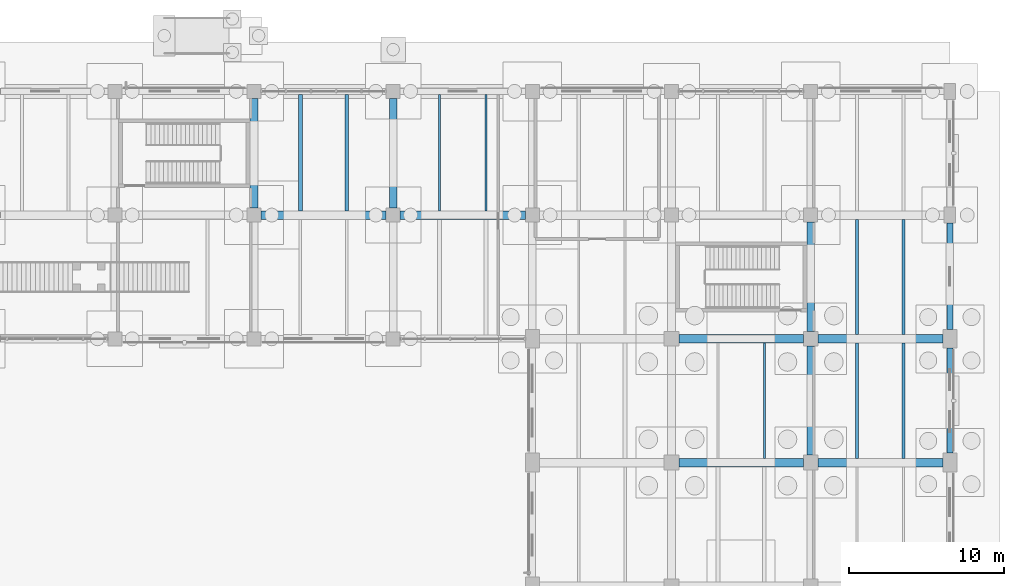
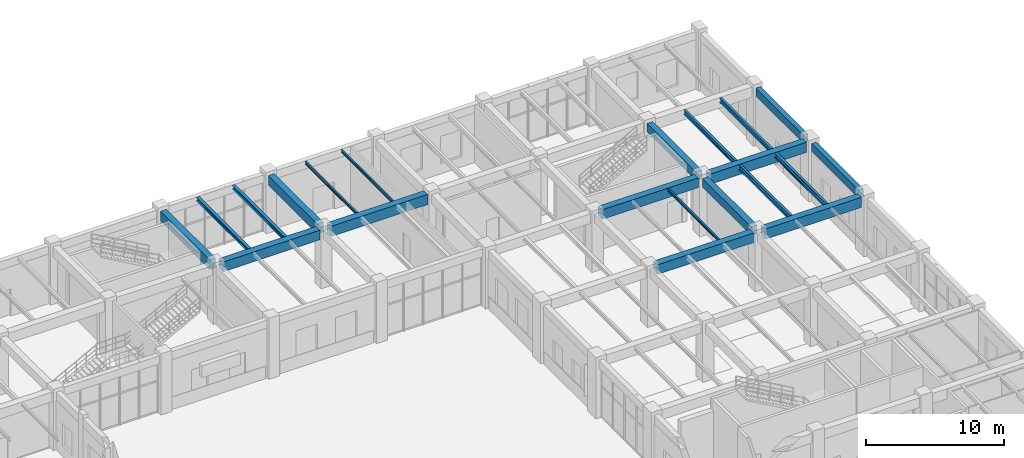
# One storey, part 77 of 121: 21 beams.
"""IFC4 building model written with IfcOpenShell, lengths in metres."""

from ifc_helpers import new_model, si_unit, derived_unit, direction, frame, origin, origin_2d, place, context, subcontext, project, spatial, rectangle, i_section, extrude, material, material_profile, profile_set, type_object, element, save


model = new_model("IFC4")

# Units and contexts
model_context = context("Model", 3, precision=1e-05, world=origin(), true_north=direction((0.0, 1.0)))
body_context = subcontext(model_context, "Body", "Model", "MODEL_VIEW")
ifc_project = project(units=[si_unit("LENGTHUNIT", "METRE"), si_unit("AREAUNIT", "SQUARE_METRE"), si_unit("VOLUMEUNIT", "CUBIC_METRE"), si_unit("PLANEANGLEUNIT", "RADIAN"), si_unit("MASSUNIT", "GRAM", prefix="KILO"), derived_unit("THERMALTRANSMITTANCEUNIT", [(si_unit("MASSUNIT", "GRAM", prefix="KILO"), 1), (si_unit("TIMEUNIT", "SECOND"), -3), (si_unit("THERMODYNAMICTEMPERATUREUNIT", "KELVIN"), -1)])], contexts=[model_context])

# Site, building, storey
site_placement = place(None, origin())
site = spatial("IfcSite", under=ifc_project, at=site_placement, CompositionType="ELEMENT")
building_placement = place(site_placement, origin())
building = spatial("IfcBuilding", under=site, at=building_placement, Name="Zhenchuan Archway Interchange", CompositionType="ELEMENT")
storey_placement = place(building_placement, origin())
storey = spatial("IfcBuildingStorey", under=building, at=storey_placement, Name="L00", CompositionType="ELEMENT", Elevation=0.0)

# Beams
ifc_material_1 = material(Name="Concrete C40", Category="concrete")
ifc_material_profile_1 = material_profile(ifc_material_1, rectangle(XDim=0.5, YDim=0.75, at=origin_2d()), Name="RC 500x750")
ifc_profile_set_1 = profile_set([ifc_material_profile_1], Name="Concrete C40")
beam_type_1 = type_object("IfcBeamType", Name="BM_RC_500x750", PredefinedType="BEAM", material=ifc_profile_set_1)
beam_1_placement = place(storey_placement, frame((162.0, 80.47509765625, 4.705078125), z_axis=(0.0, 1.0, 0.0), x_axis=(-1.0, 0.0, 0.0)))
element("IfcBeam", 1, at=beam_1_placement, inside=storey, type_object=beam_type_1, Name="Beam 19:L-M (L00)", PredefinedType="BEAM", context=body_context, shape_type="SweptSolid", body=[
    extrude(rectangle(XDim=0.5, YDim=0.75, at=origin_2d()), origin(), (0.0, 0.0, 1.0), 7.0498046875),
])
beam_2_placement = place(storey_placement, frame((162.0, 88.47509765625, 4.705078125), z_axis=(0.0, 1.0, 0.0), x_axis=(-1.0, 0.0, 0.0)))
element("IfcBeam", 2, at=beam_2_placement, inside=storey, type_object=beam_type_1, Name="Beam 19:M-N (L00)", PredefinedType="BEAM", context=body_context, shape_type="SweptSolid", body=[
    extrude(rectangle(XDim=0.5, YDim=0.75, at=origin_2d()), origin(), (0.0, 0.0, 1.0), 7.074951171875),
])
ifc_material_profile_2 = material_profile(ifc_material_1, rectangle(XDim=0.5, YDim=0.85009765625, at=origin_2d()), Name="RC 500x850")
ifc_profile_set_2 = profile_set([ifc_material_profile_2], Name="Concrete C40")
beam_type_2 = type_object("IfcBeamType", Name="BM_RC_500x850", PredefinedType="BEAM", material=ifc_profile_set_2)
for number, where, z_axis, x_axis, name in (
    (3, (126.0, 96.449951171875, 4.655029296875), (0.0, 1.0, 0.0), (-1.0, 0.0, 0.0), "Beam 15:N-O (L00)"),
    (4, (135.0, 96.449951171875, 4.655029296875), (0.0, 1.0, 0.0), (-1.0, 0.0, 0.0), "Beam 16:N-O (L00)"),
):
    element("IfcBeam", number, at=place(storey_placement, frame(where, z_axis=z_axis, x_axis=x_axis)), inside=storey, type_object=beam_type_2, Name=name, PredefinedType="BEAM", context=body_context, shape_type="SweptSolid", body=[
        extrude(rectangle(XDim=0.5, YDim=0.85009765625, at=origin_2d()), origin(), (0.0, 0.0, 1.0), 7.10009765625),
    ])
ifc_material_profile_3 = material_profile(ifc_material_1, rectangle(XDim=0.550048828125, YDim=0.85009765625, at=origin_2d()), Name="RC 550x850")
ifc_profile_set_3 = profile_set([ifc_material_profile_3], Name="Concrete C40")
beam_type_3 = type_object("IfcBeamType", Name="BM_RC_550x850", PredefinedType="BEAM", material=ifc_profile_set_3)
for number, where, z_axis, x_axis, name in (
    (5, (153.47509765625, 80.0, 4.655029296875), (1.0, 0.0, 0.0), (0.0, 1.0, 0.0), "Beam L:18-19 (L00)"),
    (6, (153.47509765625, 88.0, 4.655029296875), (1.0, 0.0, 0.0), (0.0, 1.0, 0.0), "Beam M:18-19 (L00)"),
):
    element("IfcBeam", number, at=place(storey_placement, frame(where, z_axis=z_axis, x_axis=x_axis)), inside=storey, type_object=beam_type_3, Name=name, PredefinedType="BEAM", context=body_context, shape_type="SweptSolid", body=[
        extrude(rectangle(XDim=0.550048828125, YDim=0.85009765625, at=origin_2d()), origin(), (0.0, 0.0, 1.0), 8.0498046875),
    ])
beam_3_placement = place(storey_placement, frame((126.449951171875, 96.0, 4.655029296875), z_axis=(1.0, 0.0, 0.0), x_axis=(0.0, 1.0, 0.0)))
element("IfcBeam", 7, at=beam_3_placement, inside=storey, type_object=beam_type_3, Name="Beam N:15-16 (L00)", PredefinedType="BEAM", context=body_context, shape_type="SweptSolid", body=[
    extrude(rectangle(XDim=0.550048828125, YDim=0.85009765625, at=origin_2d()), origin(), (0.0, 0.0, 1.0), 8.10009765625),
])
ifc_material_profile_4 = material_profile(ifc_material_1, rectangle(XDim=0.550048828125, YDim=0.89990234375, at=origin_2d()), Name="RC 550x900")
ifc_profile_set_4 = profile_set([ifc_material_profile_4], Name="Concrete C40")
beam_type_4 = type_object("IfcBeamType", Name="BM_RC_550x900", PredefinedType="BEAM", material=ifc_profile_set_4)
for number, where, z_axis, x_axis, name in (
    (8, (162.47509765625, 80.0, 4.6298828125), (1.0, 0.0, 0.0), (0.0, 1.0, 0.0), "Beam L:19-20 (L00)"),
    (9, (162.47509765625, 88.0, 4.6298828125), (1.0, 0.0, 0.0), (0.0, 1.0, 0.0), "Beam M:19-20 (L00)"),
):
    element("IfcBeam", number, at=place(storey_placement, frame(where, z_axis=z_axis, x_axis=x_axis)), inside=storey, type_object=beam_type_4, Name=name, PredefinedType="BEAM", context=body_context, shape_type="SweptSolid", body=[
        extrude(rectangle(XDim=0.550048828125, YDim=0.89990234375, at=origin_2d()), origin(), (0.0, 0.0, 1.0), 8.074951171875),
    ])
beam_4_placement = place(storey_placement, frame((135.449951171875, 96.0, 4.6298828125), z_axis=(1.0, 0.0, 0.0), x_axis=(0.0, 1.0, 0.0)))
element("IfcBeam", 10, at=beam_4_placement, inside=storey, type_object=beam_type_4, Name="Beam N:16-17 (L00)", PredefinedType="BEAM", context=body_context, shape_type="SweptSolid", body=[
    extrude(rectangle(XDim=0.550048828125, YDim=0.89990234375, at=origin_2d()), origin(), (0.0, 0.0, 1.0), 8.10009765625),
])
ifc_material_2 = material(Name="Steel Q355", Category="steel")
ifc_material_profile_5 = material_profile(ifc_material_2, i_section(OverallWidth=0.25, OverallDepth=0.340087890625, WebThickness=0.009033203125, FlangeThickness=0.013916015625, FilletRadius=0.01806640625, at=origin_2d()), Name="HM 340x250")
ifc_profile_set_5 = profile_set([ifc_material_profile_5], Name="Steel Q355")
beam_type_5 = type_object("IfcBeamType", Name="JST_STL_HM340", PredefinedType="JOIST", material=ifc_profile_set_5)
for number, where, z_axis, x_axis, name in (
    (11, (129.0, 96.27490234375, 4.909912109375), (0.0, 1.0, 0.0), (-1.0, 0.0, 0.0), "Secondary joist 15-16/N-O #1 (L00)"),
    (12, (132.0, 96.27490234375, 4.909912109375), (0.0, 1.0, 0.0), (-1.0, 0.0, 0.0), "Secondary joist 15-16/N-O #2 (L00)"),
):
    element("IfcBeam", number, at=place(storey_placement, frame(where, z_axis=z_axis, x_axis=x_axis)), inside=storey, type_object=beam_type_5, Name=name, PredefinedType="JOIST", context=body_context, shape_type="SweptSolid", body=[
        extrude(i_section(OverallWidth=0.25, OverallDepth=0.340087890625, WebThickness=0.009033203125, FlangeThickness=0.013916015625, FilletRadius=0.01806640625, at=origin_2d()), origin(), (0.0, 0.0, 1.0), 7.525146484375),
    ])
ifc_material_profile_6 = material_profile(ifc_material_2, i_section(OverallWidth=0.125, OverallDepth=0.25, WebThickness=0.006103515625, FlangeThickness=0.009033203125, FilletRadius=0.011962890625, at=origin_2d()), Name="HN 250x125")
ifc_profile_set_6 = profile_set([ifc_material_profile_6], Name="Steel Q355")
beam_type_6 = type_object("IfcBeamType", Name="JST_STL_HN250", PredefinedType="JOIST", material=ifc_profile_set_6)
for number, where, z_axis, x_axis, name in (
    (13, (138.0, 96.27490234375, 4.955078125), (0.0, 1.0, 0.0), (-1.0, 0.0, 0.0), "Secondary joist 16-17/N-O #1 (L00)"),
    (14, (141.0, 96.27490234375, 4.955078125), (0.0, 1.0, 0.0), (-1.0, 0.0, 0.0), "Secondary joist 16-17/N-O #2 (L00)"),
):
    element("IfcBeam", number, at=place(storey_placement, frame(where, z_axis=z_axis, x_axis=x_axis)), inside=storey, type_object=beam_type_6, Name=name, PredefinedType="JOIST", context=body_context, shape_type="SweptSolid", body=[
        extrude(i_section(OverallWidth=0.125, OverallDepth=0.25, WebThickness=0.006103515625, FlangeThickness=0.009033203125, FilletRadius=0.011962890625, at=origin_2d()), origin(), (0.0, 0.0, 1.0), 7.525146484375),
    ])
beam_5_placement = place(storey_placement, frame((159.0, 80.27490234375, 4.955078125), z_axis=(0.0, 1.0, 0.0), x_axis=(-1.0, 0.0, 0.0)))
element("IfcBeam", 15, at=beam_5_placement, inside=storey, type_object=beam_type_6, Name="Secondary joist 18-19/L-M #2 (L00)", PredefinedType="JOIST", context=body_context, shape_type="SweptSolid", body=[
    extrude(i_section(OverallWidth=0.125, OverallDepth=0.25, WebThickness=0.006103515625, FlangeThickness=0.009033203125, FilletRadius=0.011962890625, at=origin_2d()), origin(), (0.0, 0.0, 1.0), 7.4501953125),
])
ifc_material_profile_7 = material_profile(ifc_material_2, i_section(OverallWidth=0.199951171875, OverallDepth=0.39990234375, WebThickness=0.008056640625, FlangeThickness=0.012939453125, FilletRadius=0.01611328125, at=origin_2d()), Name="HN 400x200")
ifc_profile_set_7 = profile_set([ifc_material_profile_7], Name="Steel Q355")
beam_type_7 = type_object("IfcBeamType", Name="JST_STL_HN400", PredefinedType="JOIST", material=ifc_profile_set_7)
for number, where, z_axis, x_axis, name in (
    (16, (165.0, 88.27490234375, 4.8798828125), (0.0, 1.0, 0.0), (-1.0, 0.0, 0.0), "Secondary joist 19-20/M-N #1 (L00)"),
    (17, (168.0, 88.27490234375, 4.8798828125), (0.0, 1.0, 0.0), (-1.0, 0.0, 0.0), "Secondary joist 19-20/M-N #2 (L00)"),
):
    element("IfcBeam", number, at=place(storey_placement, frame(where, z_axis=z_axis, x_axis=x_axis)), inside=storey, type_object=beam_type_7, Name=name, PredefinedType="JOIST", context=body_context, shape_type="SweptSolid", body=[
        extrude(i_section(OverallWidth=0.199951171875, OverallDepth=0.39990234375, WebThickness=0.008056640625, FlangeThickness=0.012939453125, FilletRadius=0.01611328125, at=origin_2d()), origin(), (0.0, 0.0, 1.0), 7.4501953125),
    ])
ifc_material_profile_8 = material_profile(ifc_material_2, i_section(OverallWidth=0.199951171875, OverallDepth=0.449951171875, WebThickness=0.009033203125, FlangeThickness=0.013916015625, FilletRadius=0.01806640625, at=origin_2d()), Name="HN 450x200")
ifc_profile_set_8 = profile_set([ifc_material_profile_8], Name="Steel Q355")
beam_type_8 = type_object("IfcBeamType", Name="JST_STL_HN450", PredefinedType="JOIST", material=ifc_profile_set_8)
for number, where, z_axis, x_axis, name in (
    (18, (165.0, 80.27490234375, 4.85498046875), (0.0, 1.0, 0.0), (-1.0, 0.0, 0.0), "Secondary joist 19-20/L-M #1 (L00)"),
    (19, (168.0, 80.27490234375, 4.85498046875), (0.0, 1.0, 0.0), (-1.0, 0.0, 0.0), "Secondary joist 19-20/L-M #2 (L00)"),
):
    element("IfcBeam", number, at=place(storey_placement, frame(where, z_axis=z_axis, x_axis=x_axis)), inside=storey, type_object=beam_type_8, Name=name, PredefinedType="JOIST", context=body_context, shape_type="SweptSolid", body=[
        extrude(i_section(OverallWidth=0.199951171875, OverallDepth=0.449951171875, WebThickness=0.009033203125, FlangeThickness=0.013916015625, FilletRadius=0.01806640625, at=origin_2d()), origin(), (0.0, 0.0, 1.0), 7.4501953125),
    ])
ifc_material_profile_9 = material_profile(ifc_material_1, rectangle(XDim=0.39990234375, YDim=0.699951171875, at=origin_2d()), Name="RC 400x700")
ifc_profile_set_9 = profile_set([ifc_material_profile_9], Name="Concrete C40")
beam_type_9 = type_object("IfcBeamType", Name="SP_RC_400x700", PredefinedType="SPANDREL", material=ifc_profile_set_9)
beam_6_placement = place(storey_placement, frame((171.0, 80.60009765625, 4.72998046875), z_axis=(0.0, 1.0, 0.0), x_axis=(-1.0, 0.0, 0.0)))
element("IfcBeam", 20, at=beam_6_placement, inside=storey, type_object=beam_type_9, Name="Beam 20:L-M (L00)", PredefinedType="SPANDREL", context=body_context, shape_type="SweptSolid", body=[
    extrude(rectangle(XDim=0.39990234375, YDim=0.699951171875, at=origin_2d()), origin(), (0.0, 0.0, 1.0), 6.7998046875),
])
beam_7_placement = place(storey_placement, frame((171.0, 88.60009765625, 4.72998046875), z_axis=(0.0, 1.0, 0.0), x_axis=(-1.0, 0.0, 0.0)))
element("IfcBeam", 21, at=beam_7_placement, inside=storey, type_object=beam_type_9, Name="Beam 20:M-N (L00)", PredefinedType="SPANDREL", context=body_context, shape_type="SweptSolid", body=[
    extrude(rectangle(XDim=0.39990234375, YDim=0.699951171875, at=origin_2d()), origin(), (0.0, 0.0, 1.0), 6.875),
])

save(model, "model.ifc")
